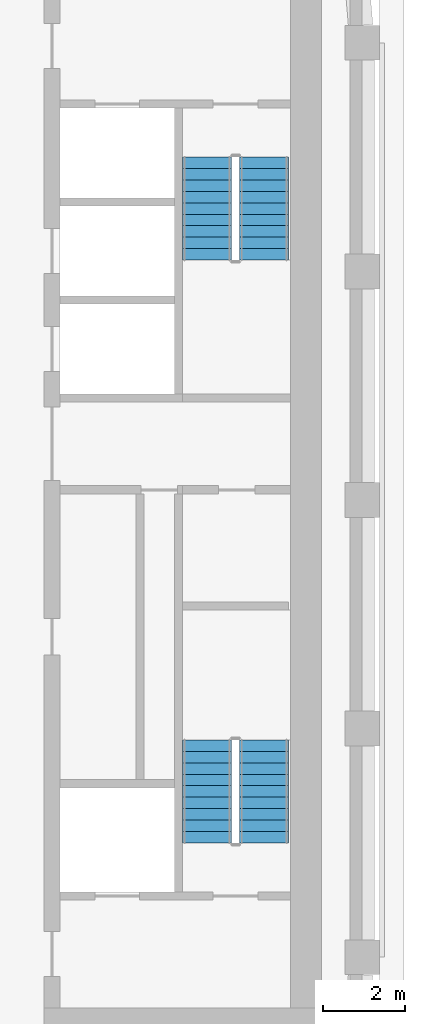
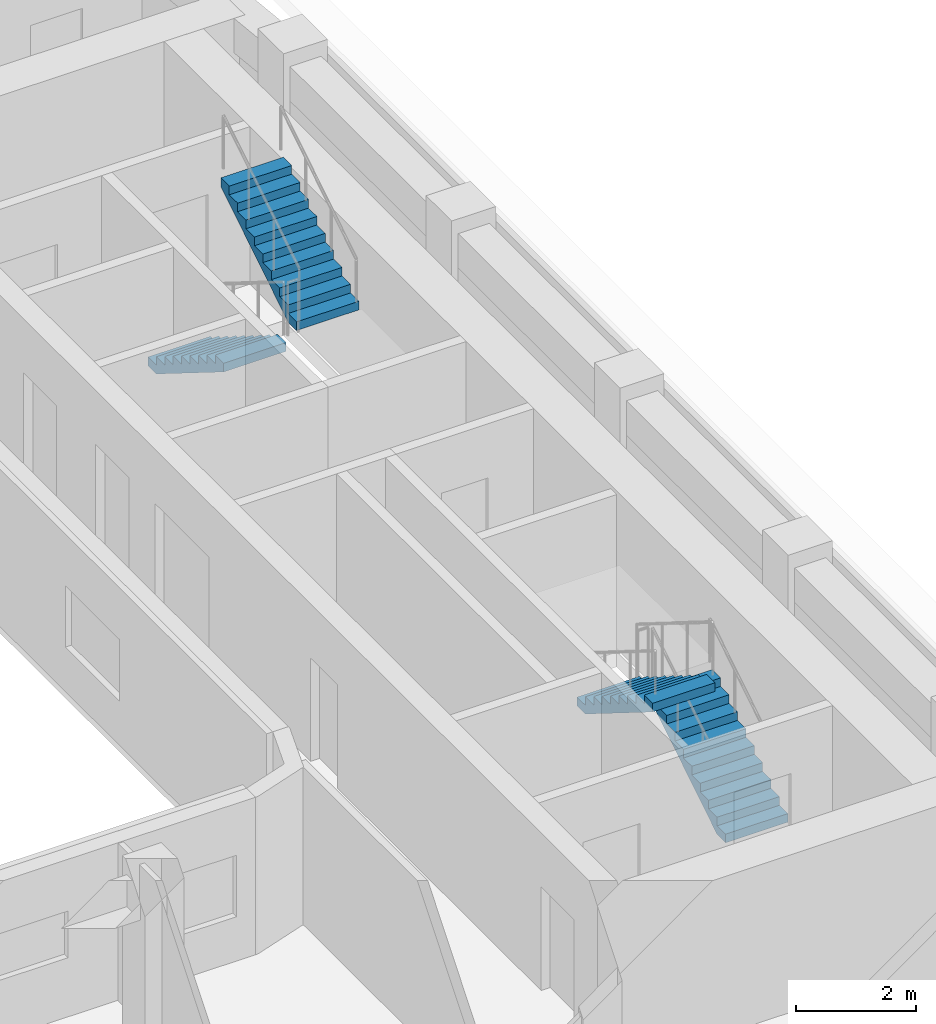
# One storey, part 9 of 21: 4 stair flights, 2 elements without a shape of their own.
"""IFC4 building model written with IfcOpenShell, lengths in metres."""

from ifc_helpers import new_model, si_unit, direction, frame, origin, place, context, subcontext, project, spatial, polyline, outline, extrude, material, type_object, element, aggregate, save


model = new_model("IFC4")

# Units and contexts
model_context = context("Model", 3, precision=1e-05, world=origin(), true_north=direction((0.0, 1.0)))
body_context = subcontext(model_context, "Body", "Model", "MODEL_VIEW")
ifc_project = project(units=[si_unit("LENGTHUNIT", "METRE"), si_unit("AREAUNIT", "SQUARE_METRE"), si_unit("VOLUMEUNIT", "CUBIC_METRE"), si_unit("PLANEANGLEUNIT", "RADIAN"), si_unit("MASSUNIT", "GRAM", prefix="KILO")], contexts=[model_context])

# Site, building, storey
site_placement = place(None, origin())
site = spatial("IfcSite", under=ifc_project, at=site_placement, CompositionType="ELEMENT")
building_placement = place(site_placement, origin())
building = spatial("IfcBuilding", under=site, at=building_placement, Name="Kiln Ring Residences", CompositionType="ELEMENT")
storey_placement = place(building_placement, frame((0.0, 0.0, 213.39990234375)))
storey = spatial("IfcBuildingStorey", under=building, at=storey_placement, Name="L55", CompositionType="ELEMENT", Elevation=213.39990234375)

# Stair, stair flights
ifc_material_1 = material(Name="Concrete C40/50", Category="concrete")
stair_type = type_object("IfcStairType", Name="CORE-STAIR", PredefinedType="HALF_TURN_STAIR", material=ifc_material_1)
placement = place(storey_placement, origin())
stair_1 = element("IfcStair", 1, at=placement, inside=storey, type_object=stair_type, Name="L55 stair E-STN", PredefinedType="HALF_TURN_STAIR")
ifc_material_2 = material(Name="Concrete C40/50", Category="concrete")
stair_flight_type = type_object("IfcStairFlightType", Name="CORE-STAIR-FLIGHT", PredefinedType="STRAIGHT", material=ifc_material_2)
stair_flight_1_placement = place(storey_placement, frame((21.39990234375, 8.39990234375, 0.0), z_axis=(0.0, 0.0, 1.0), x_axis=(0.0, -1.0, 0.0)))
stair_flight_1 = element("IfcStairFlight", 2, at=stair_flight_1_placement, type_object=stair_flight_type, Name="E-STN flight 1", NumberOfRisers=10, NumberOfTreads=9, PredefinedType="STRAIGHT", RiserHeight=0.175, TreadLength=0.28, context=body_context, shape_type="SweptSolid", body=[
    extrude(outline(polyline([(0.0, 0.0), (0.0, 0.175048828125), (0.280029296875, 0.175048828125), (0.280029296875, 0.35009765625), (0.56005859375, 0.35009765625), (0.56005859375, 0.52490234375), (0.840087890625, 0.52490234375), (0.840087890625, 0.699951171875), (1.1201171875, 0.699951171875), (1.1201171875, 0.875), (1.39990234375, 0.875), (1.39990234375, 1.050048828125), (1.679931640625, 1.050048828125), (1.679931640625, 1.22509765625), (1.9599609375, 1.22509765625), (1.9599609375, 1.39990234375), (2.239990234375, 1.39990234375), (2.239990234375, 1.574951171875), (2.52001953125, 1.574951171875), (2.52001953125, 1.75), (2.52001953125, 1.398193359375), (0.28271484375, 0.0), (0.0, 0.0)])), frame((0.0, 0.60009765625, 0.0), z_axis=(0.0, -1.0, 0.0), x_axis=(1.0, 0.0, 0.0)), (0.0, 0.0, 1.0), 1.199951171875),
])
stair_flight_2_placement = place(storey_placement, frame((22.800048828125, 5.8798828125, 1.75), z_axis=(0.0, 0.0, 1.0), x_axis=(0.0, 1.0, 0.0)))
stair_flight_2 = element("IfcStairFlight", 3, at=stair_flight_2_placement, type_object=stair_flight_type, Name="E-STN flight 2", NumberOfRisers=10, NumberOfTreads=9, PredefinedType="STRAIGHT", RiserHeight=0.175, TreadLength=0.28, context=body_context, shape_type="SweptSolid", body=[
    extrude(outline(polyline([(0.0, 0.0), (0.0, 0.175048828125), (0.280029296875, 0.175048828125), (0.280029296875, 0.35009765625), (0.56005859375, 0.35009765625), (0.56005859375, 0.52490234375), (0.840087890625, 0.52490234375), (0.840087890625, 0.699951171875), (1.1201171875, 0.699951171875), (1.1201171875, 0.875), (1.39990234375, 0.875), (1.39990234375, 1.050048828125), (1.679931640625, 1.050048828125), (1.679931640625, 1.22509765625), (1.9599609375, 1.22509765625), (1.9599609375, 1.39990234375), (2.239990234375, 1.39990234375), (2.239990234375, 1.574951171875), (2.52001953125, 1.574951171875), (2.52001953125, 1.75), (2.52001953125, 1.398193359375), (0.28271484375, 0.0), (0.0, 0.0)])), frame((0.0, 0.60009765625, 0.0), z_axis=(0.0, -1.0, 0.0), x_axis=(1.0, 0.0, 0.0)), (0.0, 0.0, 1.0), 1.199951171875),
])
aggregate(stair_1, [stair_flight_1, stair_flight_2])

stair_2 = element("IfcStair", 4, at=placement, inside=storey, type_object=stair_type, Name="L55 stair E-STS", PredefinedType="HALF_TURN_STAIR")
stair_flight_3_placement = place(storey_placement, frame((22.800048828125, -8.39990234375, 0.0), z_axis=(0.0, 0.0, 1.0), x_axis=(0.0, 1.0, 0.0)))
stair_flight_3 = element("IfcStairFlight", 5, at=stair_flight_3_placement, type_object=stair_flight_type, Name="E-STS flight 1", NumberOfRisers=10, NumberOfTreads=9, PredefinedType="STRAIGHT", RiserHeight=0.175, TreadLength=0.28, context=body_context, shape_type="SweptSolid", body=[
    extrude(outline(polyline([(0.0, 0.0), (0.0, 0.175048828125), (0.280029296875, 0.175048828125), (0.280029296875, 0.35009765625), (0.56005859375, 0.35009765625), (0.56005859375, 0.52490234375), (0.840087890625, 0.52490234375), (0.840087890625, 0.699951171875), (1.1201171875, 0.699951171875), (1.1201171875, 0.875), (1.39990234375, 0.875), (1.39990234375, 1.050048828125), (1.679931640625, 1.050048828125), (1.679931640625, 1.22509765625), (1.9599609375, 1.22509765625), (1.9599609375, 1.39990234375), (2.239990234375, 1.39990234375), (2.239990234375, 1.574951171875), (2.52001953125, 1.574951171875), (2.52001953125, 1.75), (2.52001953125, 1.398193359375), (0.28271484375, 0.0), (0.0, 0.0)])), frame((0.0, 0.60009765625, 0.0), z_axis=(0.0, -1.0, 0.0), x_axis=(1.0, 0.0, 0.0)), (0.0, 0.0, 1.0), 1.199951171875),
])
stair_flight_4_placement = place(storey_placement, frame((21.39990234375, -5.8798828125, 1.75), z_axis=(0.0, 0.0, 1.0), x_axis=(0.0, -1.0, 0.0)))
stair_flight_4 = element("IfcStairFlight", 6, at=stair_flight_4_placement, type_object=stair_flight_type, Name="E-STS flight 2", NumberOfRisers=10, NumberOfTreads=9, PredefinedType="STRAIGHT", RiserHeight=0.175, TreadLength=0.28, context=body_context, shape_type="SweptSolid", body=[
    extrude(outline(polyline([(0.0, 0.0), (0.0, 0.175048828125), (0.280029296875, 0.175048828125), (0.280029296875, 0.35009765625), (0.56005859375, 0.35009765625), (0.56005859375, 0.52490234375), (0.840087890625, 0.52490234375), (0.840087890625, 0.699951171875), (1.1201171875, 0.699951171875), (1.1201171875, 0.875), (1.39990234375, 0.875), (1.39990234375, 1.050048828125), (1.679931640625, 1.050048828125), (1.679931640625, 1.22509765625), (1.9599609375, 1.22509765625), (1.9599609375, 1.39990234375), (2.239990234375, 1.39990234375), (2.239990234375, 1.574951171875), (2.52001953125, 1.574951171875), (2.52001953125, 1.75), (2.52001953125, 1.398193359375), (0.28271484375, 0.0), (0.0, 0.0)])), frame((0.0, 0.60009765625, 0.0), z_axis=(0.0, -1.0, 0.0), x_axis=(1.0, 0.0, 0.0)), (0.0, 0.0, 1.0), 1.199951171875),
])
aggregate(stair_2, [stair_flight_3, stair_flight_4])

save(model, "model.ifc")
